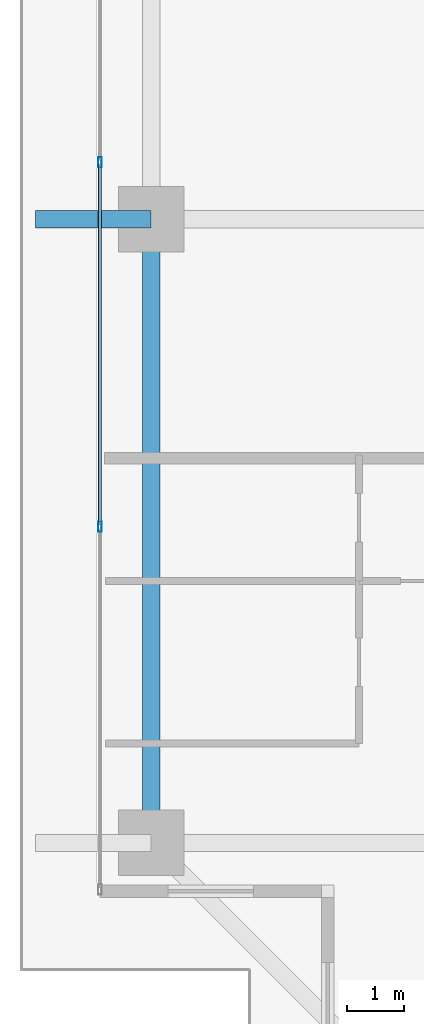
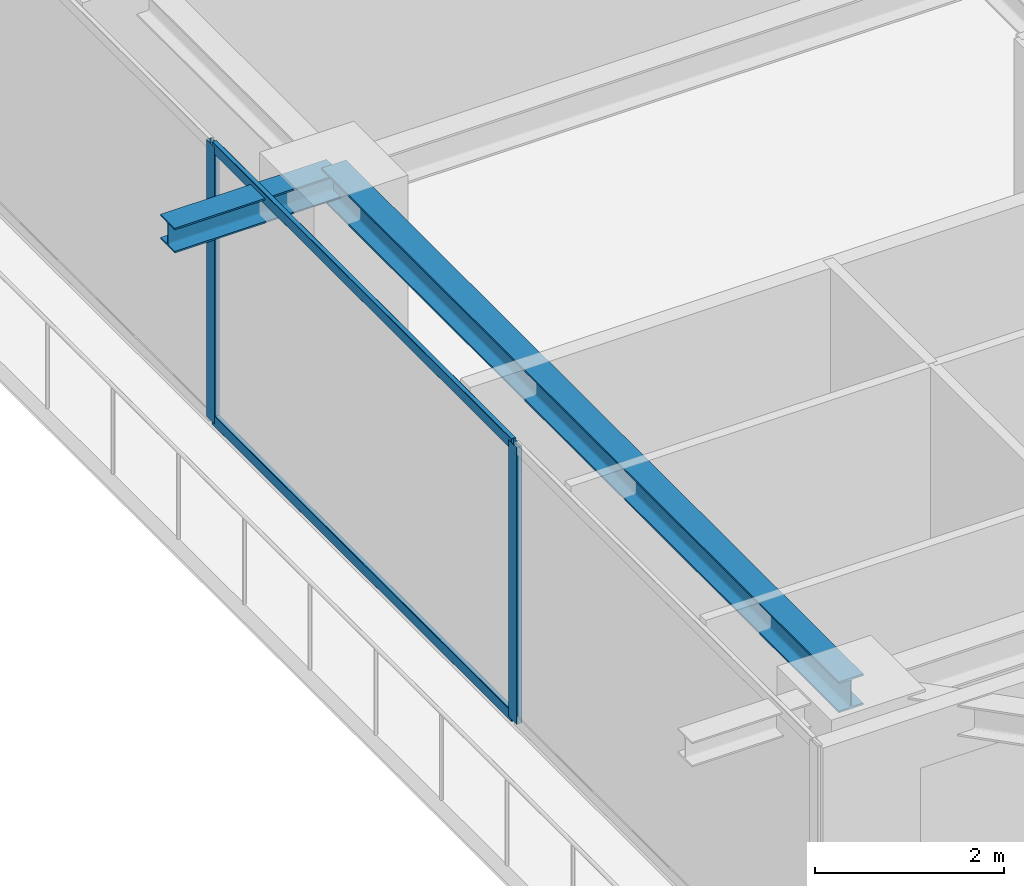
# One storey, part 7 of 37: 4 members, 2 beams, 1 element without a shape of its own.
"""IFC4 building model written with IfcOpenShell, lengths in metres."""

from ifc_helpers import new_model, si_unit, direction, frame, origin, origin_2d, place, context, subcontext, project, spatial, hollow_rectangle, i_section, extrude, source, transform, mapped, material, layer, layer_set, material_profile, profile_set, type_object, element, aggregate, save


model = new_model("IFC4")

# Units and contexts
model_context = context("Model", 3, precision=1e-05, world=origin(), true_north=direction((0.0, 1.0)))
body_context = subcontext(model_context, "Body", "Model", "MODEL_VIEW")
ifc_project = project(units=[si_unit("LENGTHUNIT", "METRE"), si_unit("AREAUNIT", "SQUARE_METRE"), si_unit("VOLUMEUNIT", "CUBIC_METRE"), si_unit("PLANEANGLEUNIT", "RADIAN"), si_unit("MASSUNIT", "GRAM", prefix="KILO")], contexts=[model_context])

# Site, building, storey
site_placement = place(None, origin())
site = spatial("IfcSite", under=ifc_project, at=site_placement, CompositionType="ELEMENT")
building_placement = place(site_placement, origin())
building = spatial("IfcBuilding", under=site, at=building_placement, Name="Serunith Strait Residences", CompositionType="ELEMENT")
storey_placement = place(building_placement, frame((0.0, 0.0, 275.89990234375)))
storey = spatial("IfcBuildingStorey", under=building, at=storey_placement, Name="L69", CompositionType="ELEMENT", Elevation=275.89990234375)

# Beams
ifc_material_1 = material(Name="Steel S355J2", Category="steel")
ifc_material_profile_1 = material_profile(ifc_material_1, i_section(OverallWidth=0.300048828125, OverallDepth=0.39990234375, WebThickness=0.013427734375, FlangeThickness=0.02392578125, FilletRadius=0.027099609375, at=origin_2d()), Name="HEB 400")
ifc_profile_set_1 = profile_set([ifc_material_profile_1], Name="Steel S355J2")
beam_type_1 = type_object("IfcBeamType", Name="BM-HEB400", PredefinedType="BEAM", material=ifc_profile_set_1)
shared_shape_1 = source(origin(), body_context, "Body", "SweptSolid", [
    extrude(i_section(OverallWidth=0.300048828125, OverallDepth=0.39990234375, WebThickness=0.013427734375, FlangeThickness=0.02392578125, FilletRadius=0.027099609375, at=origin_2d()), origin(), (0.0, 0.0, 1.0), 10.949951171875),
])
beam_1_placement = place(storey_placement, frame((8.300048828125, 21.0, 3.38720703125), z_axis=(0.0, -1.0, 0.0), x_axis=(1.0, 0.0, 0.0)))
element("IfcBeam", 1, at=beam_1_placement, inside=storey, type_object=beam_type_1, Name="L69 Perimeter Ring Beam 15", PredefinedType="BEAM", context=body_context, shape_type="MappedRepresentation", body=[
    mapped(shared_shape_1, transform((0.0, 0.0, 0.0), scale=1.0)),
])
ifc_material_profile_2 = material_profile(ifc_material_1, i_section(OverallWidth=0.300048828125, OverallDepth=0.320068359375, WebThickness=0.011474609375, FlangeThickness=0.0205078125, FilletRadius=0.027099609375, at=origin_2d()), Name="HEB 320")
ifc_profile_set_2 = profile_set([ifc_material_profile_2], Name="Steel S355J2")
beam_type_2 = type_object("IfcBeamType", Name="BM-HEB320", PredefinedType="BEAM", material=ifc_profile_set_2)
shared_shape_2 = source(origin(), body_context, "Body", "SweptSolid", [
    extrude(i_section(OverallWidth=0.300048828125, OverallDepth=0.320068359375, WebThickness=0.011474609375, FlangeThickness=0.0205078125, FilletRadius=0.027099609375, at=origin_2d()), origin(), (0.0, 0.0, 1.0), 2.030029296875),
])
beam_2_placement = place(storey_placement, frame((8.300048828125, 21.0, 3.397216796875), z_axis=(-1.0, 0.0, 0.0), x_axis=(0.0, -1.0, 0.0)))
element("IfcBeam", 2, at=beam_2_placement, inside=storey, type_object=beam_type_2, Name="L70 Cantilevered Balcony Rib TC-W2", PredefinedType="BEAM", context=body_context, shape_type="MappedRepresentation", body=[
    mapped(shared_shape_2, transform((0.0, 0.0, 0.0), scale=1.0)),
])

# Curtain wall, members
ifc_material_2 = material(Name="Pale-Champagne Anodised Aluminium", Category="aluminium")
ifc_layer = layer(ifc_material_2, 0.199951171875, Name="Pale-Champagne Anodised Aluminium")
ifc_layer_set = layer_set([ifc_layer], Name="Pale-Champagne Anodised Aluminium")
curtain_wall_type = type_object("IfcCurtainWallType", Name="CW-SYS4", PredefinedType="NOTDEFINED", material=ifc_layer_set)
curtain_wall_placement = place(storey_placement, origin())
curtain_wall = element("IfcCurtainWall", 3, at=curtain_wall_placement, inside=storey, type_object=curtain_wall_type, Name="L69 W Unitised Fritted Curtain Wall", PredefinedType="NOTDEFINED")
ifc_material_profile_3 = material_profile(ifc_material_2, hollow_rectangle(XDim=0.06005859375, YDim=0.139892578125, WallThickness=0.00341796875, InnerFilletRadius=0.00537109375, OuterFilletRadius=0.0087890625, at=origin_2d()), Name="ALU 140x60x3.5")
ifc_profile_set_3 = profile_set([ifc_material_profile_3], Name="Pale-Champagne Anodised Aluminium")
member_type_1 = type_object("IfcMemberType", Name="CW-SYS4-TRAN", PredefinedType="USERDEFINED", material=ifc_profile_set_3)
shared_shape_3 = source(origin(), body_context, "Body", "SweptSolid", [
    extrude(hollow_rectangle(XDim=0.06005859375, YDim=0.139892578125, WallThickness=0.00341796875, InnerFilletRadius=0.00537109375, OuterFilletRadius=0.0087890625, at=origin_2d()), origin(), (0.0, 0.0, 1.0), 6.3349609375),
])
member_1_placement = place(storey_placement, frame((7.39990234375, 21.967529296875, 0.030029296875), z_axis=(0.0, -1.0, 0.0), x_axis=(1.0, 0.0, 0.0)))
member_1 = element("IfcMember", 4, at=member_1_placement, type_object=member_type_1, Name="CW-4 transom 4.1", ObjectType="TRANSOM", PredefinedType="USERDEFINED", context=body_context, shape_type="MappedRepresentation", body=[
    mapped(shared_shape_3, transform((0.0, 0.0, 0.0), scale=1.0)),
])
member_2_placement = place(storey_placement, frame((7.39990234375, 21.967529296875, 3.545166015625), z_axis=(0.0, -1.0, 0.0), x_axis=(1.0, 0.0, 0.0)))
member_2 = element("IfcMember", 5, at=member_2_placement, type_object=member_type_1, Name="CW-4 transom 4.2", ObjectType="TRANSOM", PredefinedType="USERDEFINED", context=body_context, shape_type="MappedRepresentation", body=[
    mapped(shared_shape_3, transform((0.0, 0.0, 0.0), scale=1.0)),
])
ifc_material_profile_4 = material_profile(ifc_material_2, hollow_rectangle(XDim=0.06494140625, YDim=0.179931640625, WallThickness=0.00341796875, InnerFilletRadius=0.00537109375, OuterFilletRadius=0.0087890625, at=origin_2d()), Name="ALU 180x65x3.5")
ifc_profile_set_4 = profile_set([ifc_material_profile_4], Name="Pale-Champagne Anodised Aluminium")
member_type_2 = type_object("IfcMemberType", Name="CW-SYS4-MULL", PredefinedType="MULLION", material=ifc_profile_set_4)
shared_shape_4 = source(origin(), body_context, "Body", "SweptSolid", [
    extrude(hollow_rectangle(XDim=0.06494140625, YDim=0.179931640625, WallThickness=0.00341796875, InnerFilletRadius=0.00537109375, OuterFilletRadius=0.0087890625, at=origin_2d()), origin(), (0.0, 0.0, 1.0), 3.5751953125),
])
member_3_placement = place(storey_placement, frame((7.39990234375, 22.0, 0.0), z_axis=(0.0, 0.0, 1.0), x_axis=(1.0, 0.0, 0.0)))
member_3 = element("IfcMember", 6, at=member_3_placement, type_object=member_type_2, Name="CW-4 mullion 4", PredefinedType="MULLION", context=body_context, shape_type="MappedRepresentation", body=[
    mapped(shared_shape_4, transform((0.0, 0.0, 0.0), scale=1.0)),
])
member_4_placement = place(storey_placement, frame((7.39990234375, 15.60009765625, 0.0), z_axis=(0.0, 0.0, 1.0), x_axis=(1.0, 0.0, 0.0)))
member_4 = element("IfcMember", 7, at=member_4_placement, type_object=member_type_2, Name="CW-4 mullion 5", PredefinedType="MULLION", context=body_context, shape_type="MappedRepresentation", body=[
    mapped(shared_shape_4, transform((0.0, 0.0, 0.0), scale=1.0)),
])
aggregate(curtain_wall, [member_3, member_4, member_1, member_2])

save(model, "model.ifc")
